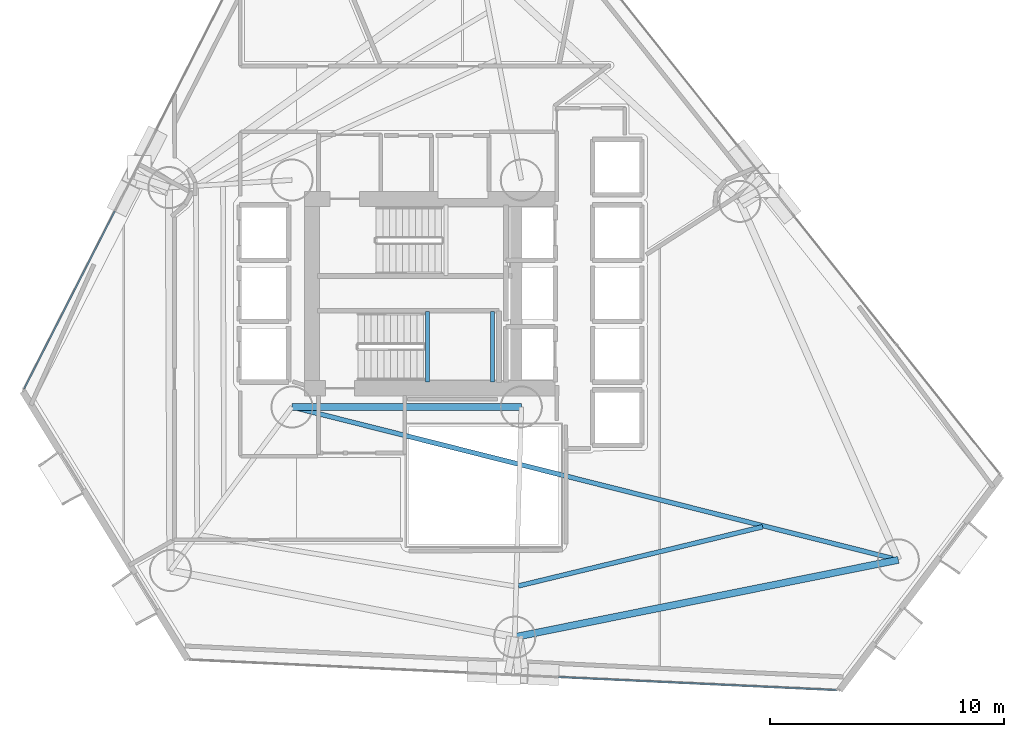
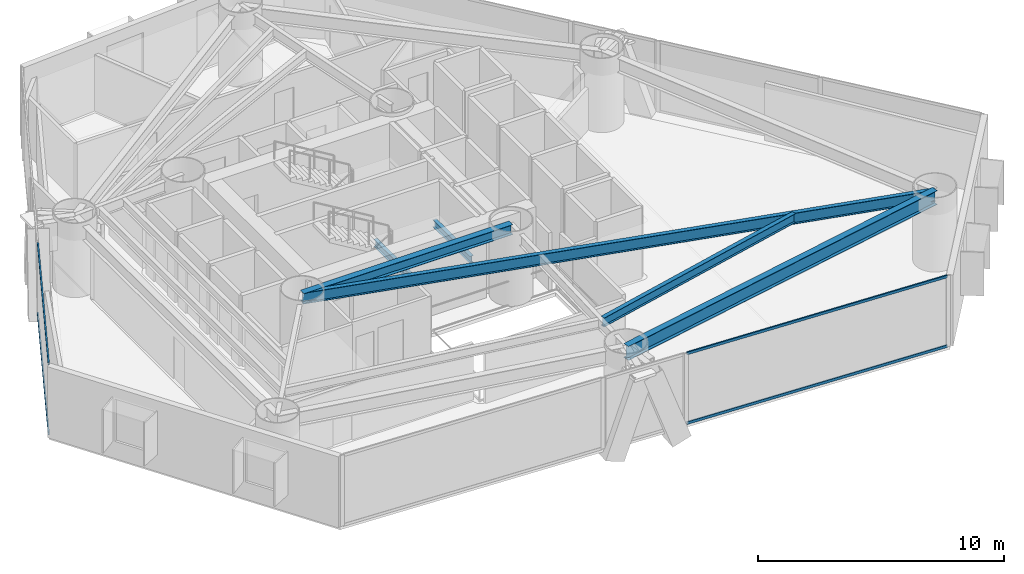
# One storey, part 6 of 23: 6 beams, 4 members, 2 elements without a shape of their own.
"""IFC4 building model written with IfcOpenShell, lengths in metres."""

from ifc_helpers import new_model, si_unit, direction, frame, origin, origin_2d, place, context, subcontext, project, spatial, hollow_rectangle, i_section, extrude, material, layer, layer_set, material_profile, profile_set, type_object, element, aggregate, save


model = new_model("IFC4")

# Units and contexts
model_context = context("Model", 3, precision=1e-05, world=origin(), true_north=direction((0.0, 1.0)))
body_context = subcontext(model_context, "Body", "Model", "MODEL_VIEW")
ifc_project = project(units=[si_unit("LENGTHUNIT", "METRE"), si_unit("AREAUNIT", "SQUARE_METRE"), si_unit("VOLUMEUNIT", "CUBIC_METRE"), si_unit("PLANEANGLEUNIT", "RADIAN"), si_unit("MASSUNIT", "GRAM", prefix="KILO")], contexts=[model_context])

# Site, building, storey
site_placement = place(None, origin())
site = spatial("IfcSite", under=ifc_project, at=site_placement, CompositionType="ELEMENT")
building_placement = place(site_placement, origin())
building = spatial("IfcBuilding", under=site, at=building_placement, Name="Qianvela Tower", CompositionType="ELEMENT")
storey_placement = place(building_placement, frame((0.0, 0.0, 36.800048828125)))
storey = spatial("IfcBuildingStorey", under=building, at=storey_placement, Name="L08", CompositionType="ELEMENT", Elevation=36.800048828125)

# Beams
ifc_material_1 = material(Name="Steel Q355B", Category="steel")
ifc_material_profile_1 = material_profile(ifc_material_1, i_section(OverallWidth=0.300048828125, OverallDepth=0.5, WebThickness=0.010986328125, FlangeThickness=0.01806640625, at=origin_2d()), Name="HM500x300x11x18")
ifc_profile_set_1 = profile_set([ifc_material_profile_1], Name="Steel Q355B")
beam_type_1 = type_object("IfcBeamType", Name="BM-HM500-COLL", PredefinedType="BEAM", material=ifc_profile_set_1)
beam_1_placement = place(storey_placement, frame((28.60009765625, 23.85009765625, 3.26806640625), z_axis=(1.0, 0.0, 0.0), x_axis=(0.0, 1.0, 0.0)))
element("IfcBeam", 1, at=beam_1_placement, inside=storey, type_object=beam_type_1, Name="L08 Core Ring Collector Girder CC1", PredefinedType="BEAM", context=body_context, shape_type="SweptSolid", body=[
    extrude(i_section(OverallWidth=0.300048828125, OverallDepth=0.5, WebThickness=0.010986328125, FlangeThickness=0.01806640625, at=origin_2d()), origin(), (0.0, 0.0, 1.0), 9.7998046875),
])
ifc_material_2 = material(Name="Steel Q355B", Category="steel")
ifc_material_profile_2 = material_profile(ifc_material_2, i_section(OverallWidth=0.175048828125, OverallDepth=0.35009765625, WebThickness=0.007080078125, FlangeThickness=0.010986328125, at=origin_2d()), Name="HN350x175x7x11")
ifc_profile_set_2 = profile_set([ifc_material_profile_2], Name="Steel Q355B")
beam_type_2 = type_object("IfcBeamType", Name="BM-HN350-JOIST", PredefinedType="JOIST", material=ifc_profile_set_2)
for number, where, z_axis, x_axis, name in (
    (2, (34.39990234375, 24.919921875, 1.474853515625), (0.0, 1.0, 0.0), (-1.0, 0.0, 0.0), "L08 Stair ST-2 Landing Support Beam 1.1"),
    (3, (37.169921875, 24.919921875, 1.474853515625), (0.0, 1.0, 0.0), (-1.0, 0.0, 0.0), "L08 Stair ST-2 Landing Support Beam 1.2"),
):
    element("IfcBeam", number, at=place(storey_placement, frame(where, z_axis=z_axis, x_axis=x_axis)), inside=storey, type_object=beam_type_2, Name=name, PredefinedType="JOIST", context=body_context, shape_type="SweptSolid", body=[
        extrude(i_section(OverallWidth=0.175048828125, OverallDepth=0.35009765625, WebThickness=0.007080078125, FlangeThickness=0.010986328125, at=origin_2d()), origin(), (0.0, 0.0, 1.0), 3.02001953125),
    ])
ifc_material_3 = material(Name="Steel Q355B", Category="steel")
ifc_material_profile_3 = material_profile(ifc_material_3, i_section(OverallWidth=0.199951171875, OverallDepth=0.449951171875, WebThickness=0.009033203125, FlangeThickness=0.013916015625, at=origin_2d()), Name="HN450x200x9x14")
ifc_profile_set_3 = profile_set([ifc_material_profile_3], Name="Steel Q355B")
beam_type_3 = type_object("IfcBeamType", Name="BM-HN450-JOIST", PredefinedType="JOIST", material=ifc_profile_set_3)
beam_2_placement = place(storey_placement, frame((38.27490234375, 16.2021484375, 3.29296875), z_axis=(0.97189533292, 0.235413385024, 0.0), x_axis=(-0.235413385024, 0.97189533292, 0.0)))
element("IfcBeam", 4, at=beam_2_placement, inside=storey, type_object=beam_type_3, Name="L08 Secondary Composite Floor Joist 6.3", PredefinedType="JOIST", context=body_context, shape_type="SweptSolid", body=[
    extrude(i_section(OverallWidth=0.199951171875, OverallDepth=0.449951171875, WebThickness=0.009033203125, FlangeThickness=0.013916015625, at=origin_2d()), origin(), (0.0, 0.0, 1.0), 10.7451171875),
])
ifc_material_4 = material(Name="Steel Q355B", Category="steel")
ifc_material_profile_4 = material_profile(ifc_material_4, i_section(OverallWidth=0.199951171875, OverallDepth=0.550048828125, WebThickness=0.010009765625, FlangeThickness=0.01611328125, at=origin_2d()), Name="HN550x200x10x16")
ifc_profile_set_4 = profile_set([ifc_material_profile_4], Name="Steel Q355B")
beam_type_4 = type_object("IfcBeamType", Name="BM-HN550-GIRD", PredefinedType="BEAM", material=ifc_profile_set_4)
beam_3_placement = place(storey_placement, frame((28.60009765625, 23.85009765625, 3.242919921875), z_axis=(0.969654189465, -0.244480577661, 0.0), x_axis=(0.244480577661, 0.969654189465, 0.0)))
element("IfcBeam", 5, at=beam_3_placement, inside=storey, type_object=beam_type_4, Name="L08 Radial Primary Floor Girder 1", PredefinedType="BEAM", context=body_context, shape_type="SweptSolid", body=[
    extrude(i_section(OverallWidth=0.199951171875, OverallDepth=0.550048828125, WebThickness=0.010009765625, FlangeThickness=0.01611328125, at=origin_2d()), origin(), (0.0, 0.0, 1.0), 26.722900390625),
])
ifc_material_5 = material(Name="Steel Q355B", Category="steel")
ifc_material_profile_5 = material_profile(ifc_material_5, i_section(OverallWidth=0.300048828125, OverallDepth=0.699951171875, WebThickness=0.012939453125, FlangeThickness=0.02392578125, at=origin_2d()), Name="HN700x300x13x24")
ifc_profile_set_5 = profile_set([ifc_material_profile_5], Name="Steel Q355B")
beam_type_5 = type_object("IfcBeamType", Name="BM-HN700-SPAND", PredefinedType="SPANDREL", material=ifc_profile_set_5)
beam_4_placement = place(storey_placement, frame((38.1201171875, 14.01611328125, 3.16796875), z_axis=(0.980322065881, 0.197404779951, 0.0), x_axis=(-0.197404779951, 0.980322065881, 0.0)))
element("IfcBeam", 6, at=beam_4_placement, inside=storey, type_object=beam_type_5, Name="L08 Perimeter Ring Spandrel Girder 6", PredefinedType="SPANDREL", context=body_context, shape_type="SweptSolid", body=[
    extrude(i_section(OverallWidth=0.300048828125, OverallDepth=0.699951171875, WebThickness=0.012939453125, FlangeThickness=0.02392578125, at=origin_2d()), origin(), (0.0, 0.0, 1.0), 16.720947265625),
])

# Curtain wall, members
ifc_material_6 = material(Name="Anodised Architectural Aluminium and Low-E Glass", Category="aluminium")
ifc_layer = layer(ifc_material_6, 0.179931640625)
ifc_layer_set = layer_set([ifc_layer], Name="Anodised Architectural Aluminium and Low-E Glass")
curtain_wall_type = type_object("IfcCurtainWallType", Name="CW-COLIV-Z12", PredefinedType="USERDEFINED", material=ifc_layer_set)
curtain_wall_1_placement = place(storey_placement, origin())
curtain_wall_1 = element("IfcCurtainWall", 7, at=curtain_wall_1_placement, inside=storey, type_object=curtain_wall_type, Name="L08 CW-COLIV-Z12 Curtain Wall 04C", ObjectType="CURTAIN_WALL_SYSTEM", PredefinedType="USERDEFINED")
ifc_material_7 = material(Name="Anodised Architectural Aluminium 6063-T6", Category="aluminium")
ifc_material_profile_6 = material_profile(ifc_material_7, hollow_rectangle(XDim=0.06494140625, YDim=0.1298828125, WallThickness=0.00439453125, at=origin_2d()), Name="ALU-TRAN-65x130")
ifc_profile_set_6 = profile_set([ifc_material_profile_6], Name="Anodised Architectural Aluminium 6063-T6")
member_type = type_object("IfcMemberType", Name="CW-COLIV-Z12-TRAN", PredefinedType="USERDEFINED", material=ifc_profile_set_6)
member_1_placement = place(storey_placement, frame((21.028564453125, 32.22412109375, 0.032470703125), z_axis=(-0.454604256088, -0.890693533347, 0.0), x_axis=(0.890693533347, -0.454604256088, 0.0)))
member_1 = element("IfcMember", 8, at=member_1_placement, type_object=member_type, Name="CW-3 transom 1.1", ObjectType="TRANSOM", PredefinedType="USERDEFINED", context=body_context, shape_type="SweptSolid", body=[
    extrude(hollow_rectangle(XDim=0.06494140625, YDim=0.1298828125, WallThickness=0.00439453125, at=origin_2d()), origin(), (0.0, 0.0, 1.0), 8.531494140625),
])
member_2_placement = place(storey_placement, frame((21.028564453125, 32.22412109375, 3.487548828125), z_axis=(-0.454604256088, -0.890693533347, 0.0), x_axis=(0.890693533347, -0.454604256088, 0.0)))
member_2 = element("IfcMember", 9, at=member_2_placement, type_object=member_type, Name="CW-3 transom 1.2", ObjectType="TRANSOM", PredefinedType="USERDEFINED", context=body_context, shape_type="SweptSolid", body=[
    extrude(hollow_rectangle(XDim=0.06494140625, YDim=0.1298828125, WallThickness=0.00439453125, at=origin_2d()), origin(), (0.0, 0.0, 1.0), 8.531494140625),
])
aggregate(curtain_wall_1, [member_1, member_2])

curtain_wall_2_placement = place(storey_placement, origin())
curtain_wall_2 = element("IfcCurtainWall", 10, at=curtain_wall_2_placement, inside=storey, type_object=curtain_wall_type, Name="L08 CW-COLIV-Z12 Curtain Wall 06C", ObjectType="CURTAIN_WALL_SYSTEM", PredefinedType="USERDEFINED")
member_3_placement = place(storey_placement, frame((39.984130859375, 12.310302734375, 0.032470703125), z_axis=(0.998901150743, -0.046866737077, 0.0), x_axis=(0.046866737077, 0.998901150743, 0.0)))
member_3 = element("IfcMember", 11, at=member_3_placement, type_object=member_type, Name="CW-3 transom 1.1", ObjectType="TRANSOM", PredefinedType="USERDEFINED", context=body_context, shape_type="SweptSolid", body=[
    extrude(hollow_rectangle(XDim=0.06494140625, YDim=0.1298828125, WallThickness=0.00439453125, at=origin_2d()), origin(), (0.0, 0.0, 1.0), 11.908447265625),
])
member_4_placement = place(storey_placement, frame((39.984130859375, 12.310302734375, 3.487548828125), z_axis=(0.998901150743, -0.046866737077, 0.0), x_axis=(0.046866737077, 0.998901150743, 0.0)))
member_4 = element("IfcMember", 12, at=member_4_placement, type_object=member_type, Name="CW-3 transom 1.2", ObjectType="TRANSOM", PredefinedType="USERDEFINED", context=body_context, shape_type="SweptSolid", body=[
    extrude(hollow_rectangle(XDim=0.06494140625, YDim=0.1298828125, WallThickness=0.00439453125, at=origin_2d()), origin(), (0.0, 0.0, 1.0), 11.908447265625),
])
aggregate(curtain_wall_2, [member_3, member_4])

save(model, "model.ifc")
